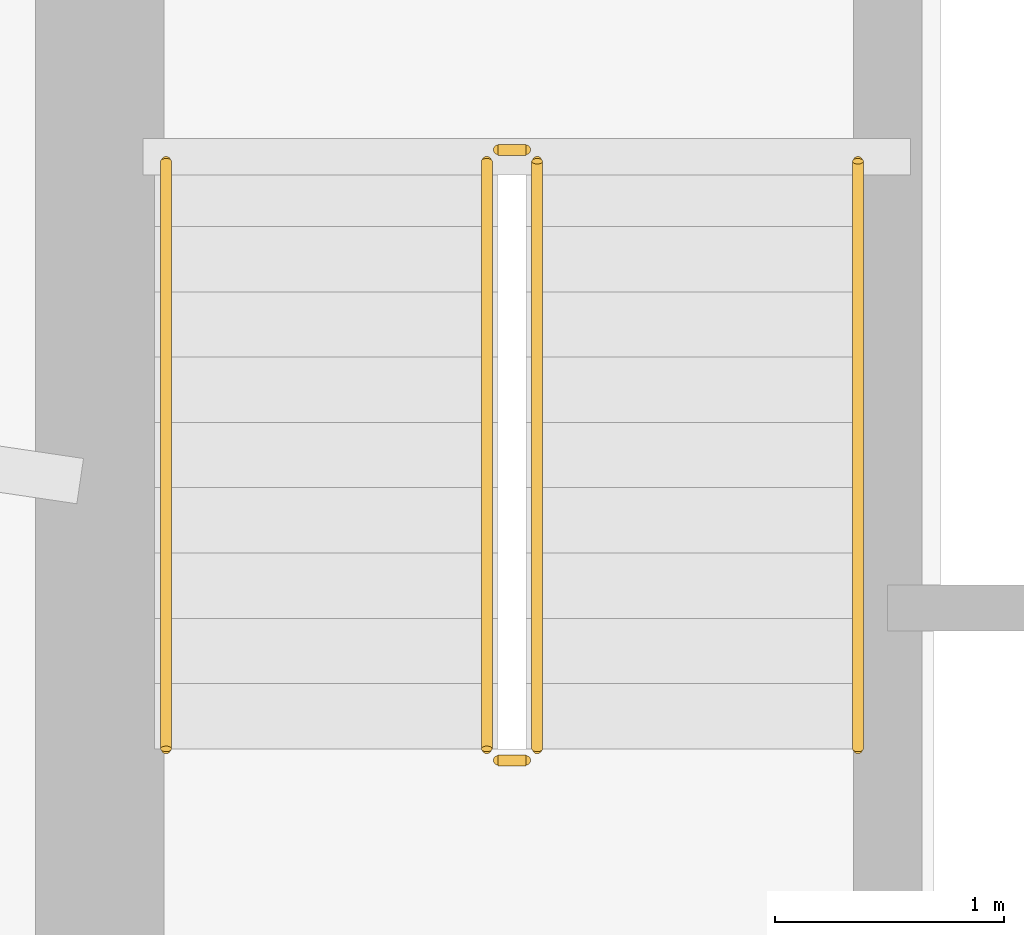
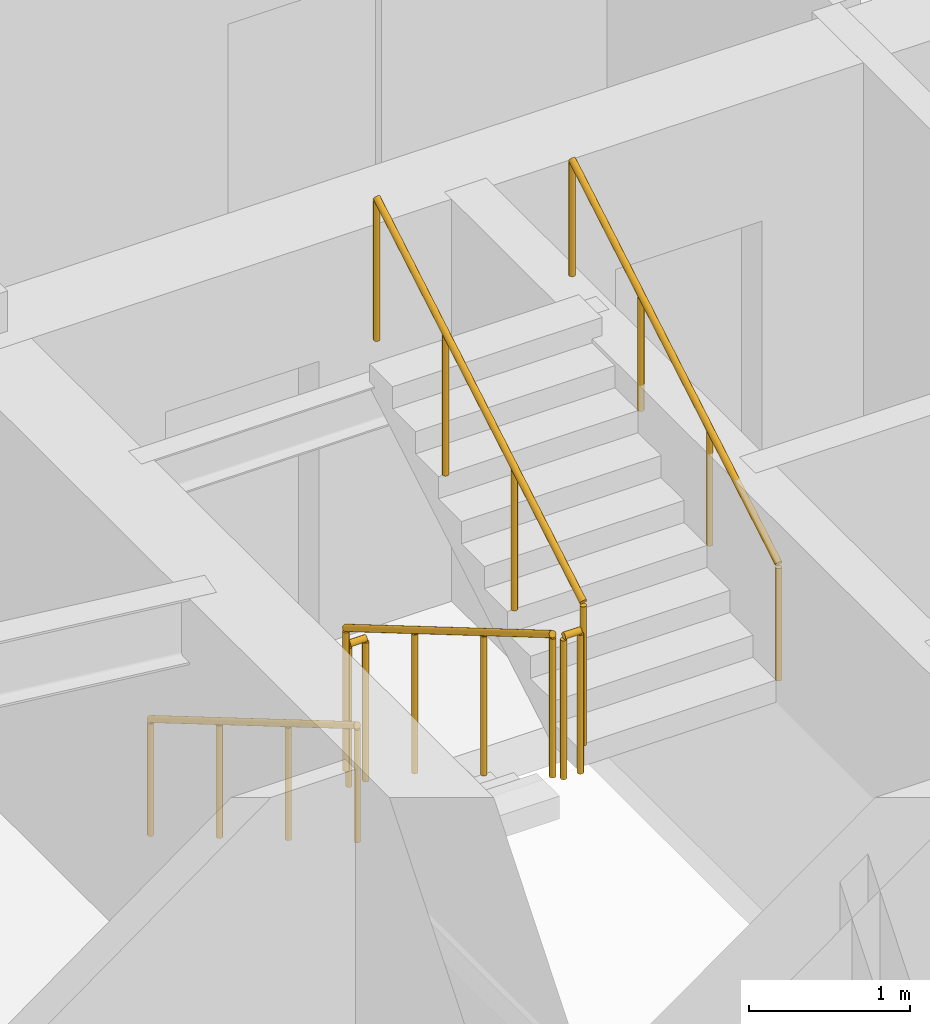
# One storey, part 17 of 18: 6 railings.
"""IFC4 building model written with IfcOpenShell, lengths in metres."""

from ifc_helpers import new_model, si_unit, direction, frame, origin, origin_2d, place, context, subcontext, project, spatial, circle, extrude, material, type_object, element, save


model = new_model("IFC4")

# Units and contexts
model_context = context("Model", 3, precision=1e-05, world=origin(), true_north=direction((0.0, 1.0)))
body_context = subcontext(model_context, "Body", "Model", "MODEL_VIEW")
ifc_project = project(units=[si_unit("LENGTHUNIT", "METRE"), si_unit("AREAUNIT", "SQUARE_METRE"), si_unit("VOLUMEUNIT", "CUBIC_METRE"), si_unit("PLANEANGLEUNIT", "RADIAN"), si_unit("MASSUNIT", "GRAM", prefix="KILO")], contexts=[model_context])

# Site, building, storey
site_placement = place(None, origin())
site = spatial("IfcSite", under=ifc_project, at=site_placement, CompositionType="ELEMENT")
building_placement = place(site_placement, origin())
building = spatial("IfcBuilding", under=site, at=building_placement, Name="Qobustan Lattice House", CompositionType="ELEMENT")
storey_placement = place(building_placement, frame((0.0, 0.0, 92.39990234375)))
storey = spatial("IfcBuildingStorey", under=building, at=storey_placement, Name="L25", CompositionType="ELEMENT", Elevation=92.39990234375)

# Railings
ifc_material_1 = material(Name="Brushed stainless steel handrail", Category="steel")
railing_type_1 = type_object("IfcRailingType", Name="RAL-HR-920", PredefinedType="HANDRAIL", material=ifc_material_1)
railing_1_placement = place(storey_placement, frame((-18.199951171875, 3.5, 0.16748046875)))
element("IfcRailing", 1, at=railing_1_placement, inside=storey, type_object=railing_type_1, Name="L25 ST-W1 stair handrail 1", PredefinedType="HANDRAIL", context=body_context, shape_type="SweptSolid", body=[
    extrude(circle(Radius=0.02392578125, at=origin_2d()), frame((0.0, 0.0, 0.8759765625), z_axis=(0.0, -0.862113467892, 0.50671527358), x_axis=(1.0, 0.0, 0.0)), (0.0, 0.0, 1.0), 2.97509765625),
    extrude(circle(Radius=0.02099609375, at=origin_2d()), origin(), (0.0, 0.0, 1.0), 0.851806640625),
    extrude(circle(Radius=0.02099609375, at=origin_2d()), frame((0.0, -0.85498046875, 0.50244140625)), (0.0, 0.0, 1.0), 0.851806640625),
    extrude(circle(Radius=0.02099609375, at=origin_2d()), frame((0.0, -1.7099609375, 1.005126953125)), (0.0, 0.0, 1.0), 0.851806640625),
    extrude(circle(Radius=0.02099609375, at=origin_2d()), frame((0.0, -2.56494140625, 1.507568359375)), (0.0, 0.0, 1.0), 0.851806640625),
])
railing_2_placement = place(storey_placement, frame((-15.179931640625, 0.93505859375, 1.842529296875)))
element("IfcRailing", 2, at=railing_2_placement, inside=storey, type_object=railing_type_1, Name="L25 ST-W1 stair handrail 2", PredefinedType="HANDRAIL", context=body_context, shape_type="SweptSolid", body=[
    extrude(circle(Radius=0.02392578125, at=origin_2d()), frame((0.0, 0.0, 0.8759765625), z_axis=(0.0, 0.862113467892, 0.50671527358), x_axis=(-1.0, 0.0, 0.0)), (0.0, 0.0, 1.0), 2.97509765625),
    extrude(circle(Radius=0.02099609375, at=origin_2d()), origin(), (0.0, 0.0, 1.0), 0.851806640625),
    extrude(circle(Radius=0.02099609375, at=origin_2d()), frame((0.0, 0.85498046875, 0.50244140625)), (0.0, 0.0, 1.0), 0.851806640625),
    extrude(circle(Radius=0.02099609375, at=origin_2d()), frame((0.0, 1.7099609375, 1.005126953125)), (0.0, 0.0, 1.0), 0.851806640625),
    extrude(circle(Radius=0.02099609375, at=origin_2d()), frame((0.0, 2.56494140625, 1.507568359375)), (0.0, 0.0, 1.0), 0.851806640625),
])
ifc_material_2 = material(Name="Painted galvanized steel guardrail", Category="steel")
railing_type_2 = type_object("IfcRailingType", Name="RAL-STG-1150", PredefinedType="GUARDRAIL", material=ifc_material_2)
railing_3_placement = place(storey_placement, frame((-16.800048828125, 3.5, 0.16748046875)))
element("IfcRailing", 3, at=railing_3_placement, inside=storey, type_object=railing_type_2, Name="L25 ST-W1 stair guard 1", PredefinedType="GUARDRAIL", context=body_context, shape_type="SweptSolid", body=[
    extrude(circle(Radius=0.02392578125, at=origin_2d()), frame((0.0, 0.0, 1.076171875), z_axis=(0.0, -0.862113467892, 0.50671527358), x_axis=(1.0, 0.0, 0.0)), (0.0, 0.0, 1.0), 2.97509765625),
    extrude(circle(Radius=0.02099609375, at=origin_2d()), origin(), (0.0, 0.0, 1.0), 1.052001953125),
    extrude(circle(Radius=0.02099609375, at=origin_2d()), frame((0.0, -0.85498046875, 0.50244140625)), (0.0, 0.0, 1.0), 1.052001953125),
    extrude(circle(Radius=0.02099609375, at=origin_2d()), frame((0.0, -1.7099609375, 1.005126953125)), (0.0, 0.0, 1.0), 1.052001953125),
    extrude(circle(Radius=0.02099609375, at=origin_2d()), frame((0.0, -2.56494140625, 1.507568359375)), (0.0, 0.0, 1.0), 1.052001953125),
])
railing_4_placement = place(storey_placement, frame((-16.75, 0.885009765625, 1.675048828125)))
element("IfcRailing", 4, at=railing_4_placement, inside=storey, type_object=railing_type_2, Name="L25 ST-W1 stair guard 2", PredefinedType="GUARDRAIL", context=body_context, shape_type="SweptSolid", body=[
    extrude(circle(Radius=0.02392578125, at=origin_2d()), frame((0.0, 0.0, 1.076171875), z_axis=(1.0, 0.0, 0.0), x_axis=(0.0, 1.0, 0.0)), (0.0, 0.0, 1.0), 0.1201171875),
    extrude(circle(Radius=0.02099609375, at=origin_2d()), origin(), (0.0, 0.0, 1.0), 1.052001953125),
    extrude(circle(Radius=0.02099609375, at=origin_2d()), frame((0.1201171875, 0.0, 0.0)), (0.0, 0.0, 1.0), 1.052001953125),
])
railing_5_placement = place(storey_placement, frame((-16.580078125, 0.93505859375, 1.842529296875)))
element("IfcRailing", 5, at=railing_5_placement, inside=storey, type_object=railing_type_2, Name="L25 ST-W1 stair guard 3", PredefinedType="GUARDRAIL", context=body_context, shape_type="SweptSolid", body=[
    extrude(circle(Radius=0.02392578125, at=origin_2d()), frame((0.0, 0.0, 1.076171875), z_axis=(0.0, 0.862113467892, 0.50671527358), x_axis=(-1.0, 0.0, 0.0)), (0.0, 0.0, 1.0), 2.97509765625),
    extrude(circle(Radius=0.02099609375, at=origin_2d()), origin(), (0.0, 0.0, 1.0), 1.052001953125),
    extrude(circle(Radius=0.02099609375, at=origin_2d()), frame((0.0, 0.85498046875, 0.50244140625)), (0.0, 0.0, 1.0), 1.052001953125),
    extrude(circle(Radius=0.02099609375, at=origin_2d()), frame((0.0, 1.7099609375, 1.005126953125)), (0.0, 0.0, 1.0), 1.052001953125),
    extrude(circle(Radius=0.02099609375, at=origin_2d()), frame((0.0, 2.56494140625, 1.507568359375)), (0.0, 0.0, 1.0), 1.052001953125),
])
railing_6_placement = place(storey_placement, frame((-16.75, 3.550048828125, 0.0)))
element("IfcRailing", 6, at=railing_6_placement, inside=storey, type_object=railing_type_2, Name="L25 ST-W1 stair guard 4", PredefinedType="GUARDRAIL", context=body_context, shape_type="SweptSolid", body=[
    extrude(circle(Radius=0.02392578125, at=origin_2d()), frame((0.0, 0.0, 1.076171875), z_axis=(1.0, 0.0, 0.0), x_axis=(0.0, 1.0, 0.0)), (0.0, 0.0, 1.0), 0.1201171875),
    extrude(circle(Radius=0.02099609375, at=origin_2d()), origin(), (0.0, 0.0, 1.0), 1.052001953125),
    extrude(circle(Radius=0.02099609375, at=origin_2d()), frame((0.1201171875, 0.0, 0.0)), (0.0, 0.0, 1.0), 1.052001953125),
])

save(model, "model.ifc")
